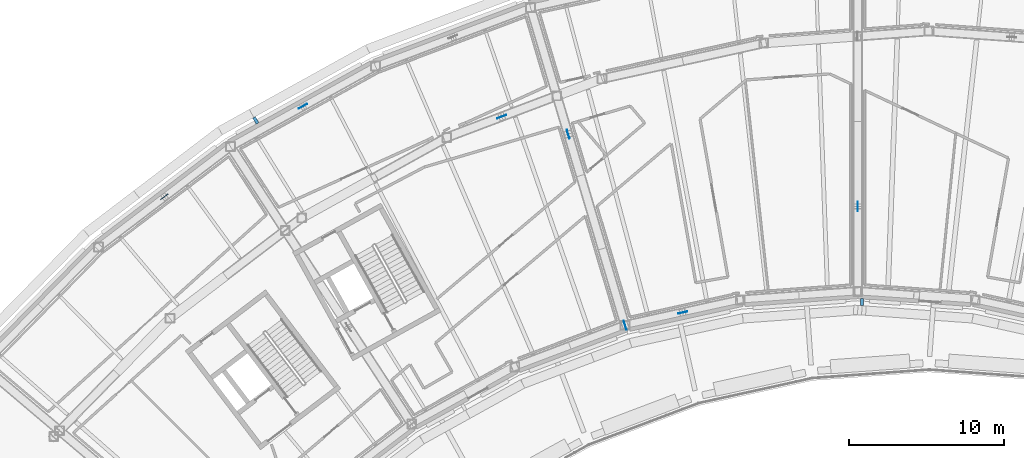
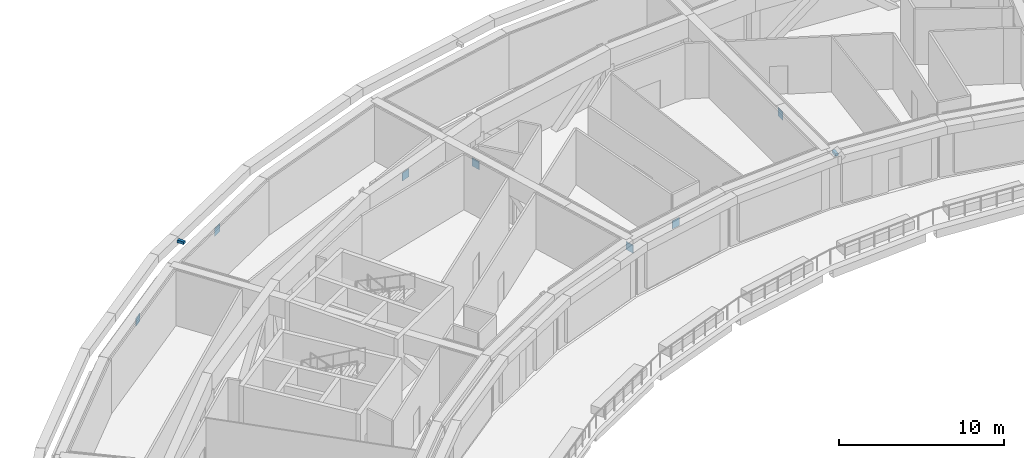
# One storey, part 14 of 24: 9 discrete accessories.
"""IFC4 building model written with IfcOpenShell, lengths in metres."""

from ifc_helpers import new_model, si_unit, direction, frame, origin, origin_2d, place, context, subcontext, project, spatial, rectangle, extrude, material, type_object, element, save


model = new_model("IFC4")

# Units and contexts
model_context = context("Model", 3, precision=1e-05, world=origin(), true_north=direction((0.0, 1.0)))
body_context = subcontext(model_context, "Body", "Model", "MODEL_VIEW")
ifc_project = project(units=[si_unit("LENGTHUNIT", "METRE"), si_unit("AREAUNIT", "SQUARE_METRE"), si_unit("VOLUMEUNIT", "CUBIC_METRE"), si_unit("PLANEANGLEUNIT", "RADIAN"), si_unit("MASSUNIT", "GRAM", prefix="KILO")], contexts=[model_context])

# Site, building, storey
site_placement = place(None, origin())
site = spatial("IfcSite", under=ifc_project, at=site_placement, CompositionType="ELEMENT")
building_placement = place(site_placement, origin())
building = spatial("IfcBuilding", under=site, at=building_placement, Name="Tuul Gate Civic Tower", CompositionType="ELEMENT")
storey_placement = place(building_placement, frame((0.0, 0.0, 315.199951171875)))
storey = spatial("IfcBuildingStorey", under=building, at=storey_placement, Name="Plant and refuge floor 7", CompositionType="ELEMENT", Elevation=315.199951171875)

# Discrete accessories
ifc_material_1 = material(Name="Steel S355", Category="steel")
discrete_accessory_type_1 = type_object("IfcDiscreteAccessoryType", Name="Gusset plate", PredefinedType="BRACKET", material=ifc_material_1)
for number, where, z_axis, x_axis, name in (
    (1, (2.19189453125, -2.052490234375, 3.103271484375), (0.0, 0.0, 1.0), (0.0, 1.0, 0.0), "Gusset plate"),
    (2, (-16.457763671875, 2.60205078125, 3.104248046875), (0.0, 0.0, 1.0), (-0.285225027043, 0.958460580279, 0.0), "Gusset plate"),
    (3, (-12.7919921875, -9.711181640625, 3.103515625), (0.0, 0.0, 1.0), (-0.285224909945, 0.958460615126, 0.0), "Gusset plate"),
    (4, (-20.7333984375, 3.724609375, 3.103759765625), (0.0, 0.0, 1.0), (0.935355774535, 0.353708319162, 0.0), "Gusset plate"),
    (5, (-42.4580078125, -1.428955078125, 3.103271484375), (0.0, 0.0, 1.0), (0.795663839612, 0.605738437227, 0.0), "Gusset plate"),
    (6, (-33.541015625, 4.3935546875, 3.103271484375), (0.0, 0.0, 1.0), (0.874585469632, 0.484871381202, 0.0), "Gusset plate"),
    (7, (-9.0869140625, -8.8935546875, 3.103759765625), (0.0, 0.0, 1.0), (-0.976591364495, -0.215103014376, 0.0), "Gusset plate"),
):
    element("IfcDiscreteAccessory", number, at=place(storey_placement, frame(where, z_axis=z_axis, x_axis=x_axis)), inside=storey, type_object=discrete_accessory_type_1, Name=name, PredefinedType="BRACKET", context=body_context, shape_type="SweptSolid", body=[
        extrude(rectangle(XDim=0.60009765625, YDim=0.030029296875, at=origin_2d()), origin(), (0.0, 0.0, 1.0), 0.60009765625),
    ])
ifc_material_2 = material(Name="Stainless steel", Category="steel")
discrete_accessory_type_2 = type_object("IfcDiscreteAccessoryType", Name="Screen bracket", PredefinedType="BRACKET", material=ifc_material_2)
discrete_accessory_1_placement = place(storey_placement, frame((-36.574462890625, 3.483642578125, 4.05029296875), z_axis=(0.0, 0.0, 1.0), x_axis=(-0.520742945255, 0.853713526288, 0.0)))
element("IfcDiscreteAccessory", 8, at=discrete_accessory_1_placement, inside=storey, type_object=discrete_accessory_type_2, Name="Screen bracket 13", PredefinedType="BRACKET", context=body_context, shape_type="SweptSolid", body=[
    extrude(rectangle(XDim=0.450439453125, YDim=0.199951171875, at=origin_2d()), origin(), (0.0, 0.0, 1.0), 0.199951171875),
])
discrete_accessory_2_placement = place(storey_placement, frame((2.45654296875, -8.223876953125, 4.05029296875), z_axis=(0.0, 0.0, 1.0), x_axis=(-0.005105065887, -0.999986969066, 0.0)))
element("IfcDiscreteAccessory", 9, at=discrete_accessory_2_placement, inside=storey, type_object=discrete_accessory_type_2, Name="Screen bracket 25", PredefinedType="BRACKET", context=body_context, shape_type="SweptSolid", body=[
    extrude(rectangle(XDim=0.450927734375, YDim=0.199951171875, at=origin_2d()), origin(), (0.0, 0.0, 1.0), 0.199951171875),
])

save(model, "model.ifc")
